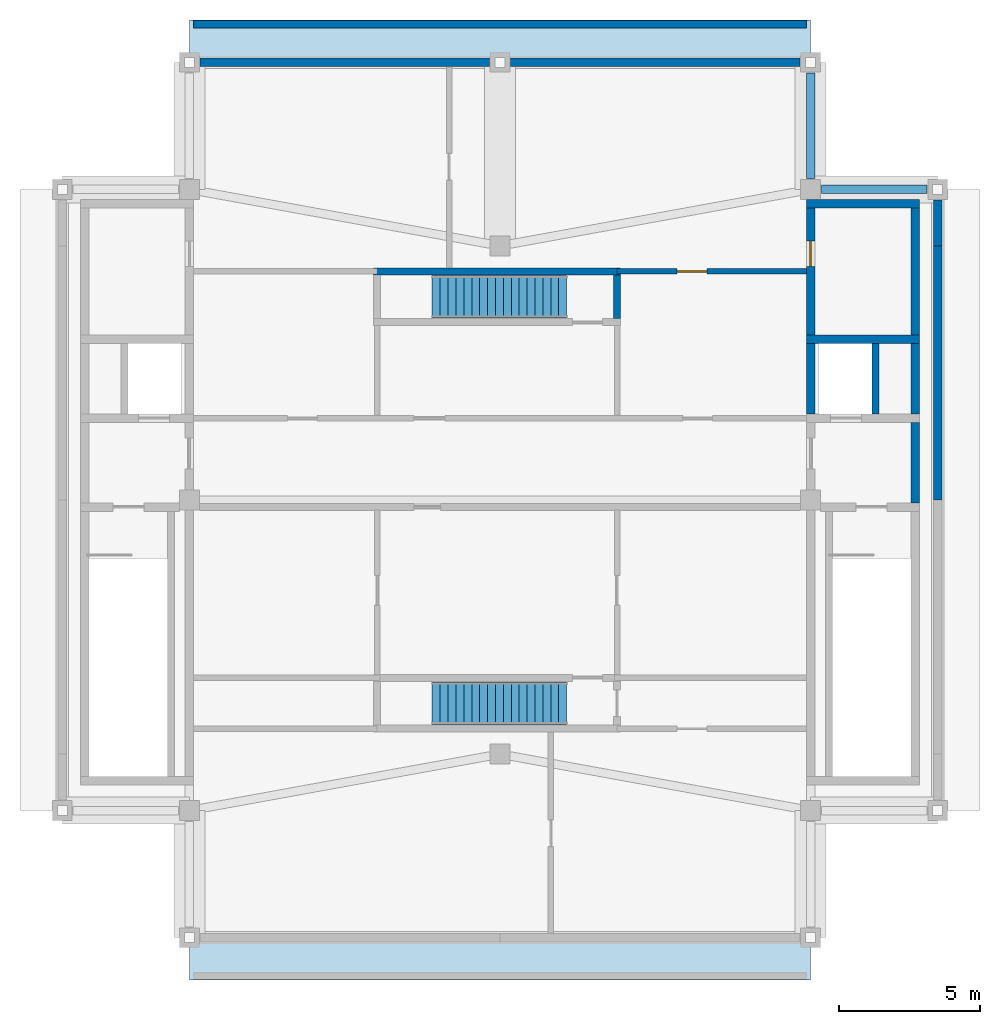
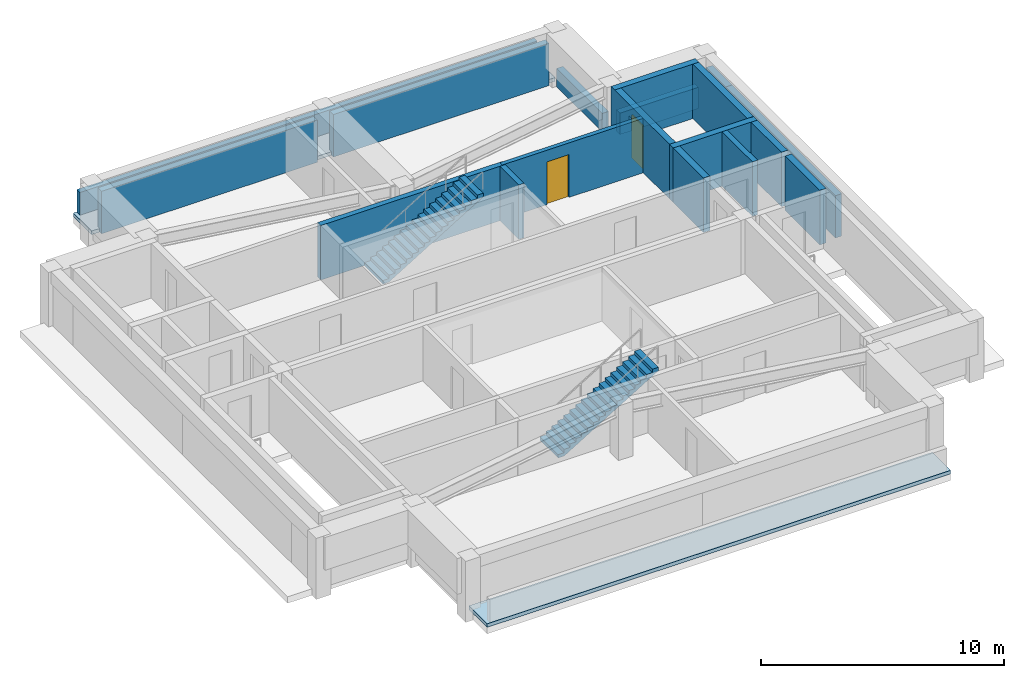
# One storey, part 3 of 4: 18 walls, 2 doors, 2 roofs, 2 stair flights, 2 openings, 2 elements without a shape of their own.
"""IFC4 building model written with IfcOpenShell, lengths in metres."""

from ifc_helpers import new_model, si_unit, direction, frame, frame_2d, origin, place, context, subcontext, project, spatial, polyline, rectangle, outline, extrude, material, layer, layer_set, type_object, element, fill, aggregate, save


model = new_model("IFC4")

# Units and contexts
model_context = context("Model", 3, precision=1e-05, world=origin(), true_north=direction((0.0, 1.0)))
body_context = subcontext(model_context, "Body", "Model", "MODEL_VIEW")
ifc_project = project(units=[si_unit("LENGTHUNIT", "METRE"), si_unit("AREAUNIT", "SQUARE_METRE"), si_unit("VOLUMEUNIT", "CUBIC_METRE"), si_unit("PLANEANGLEUNIT", "RADIAN"), si_unit("MASSUNIT", "GRAM", prefix="KILO")], contexts=[model_context])

# Site, building, storey
site_placement = place(None, origin())
site = spatial("IfcSite", under=ifc_project, at=site_placement, CompositionType="ELEMENT")
building_placement = place(site_placement, origin())
building = spatial("IfcBuilding", under=site, at=building_placement, Name="Zulmaris Gate Convention Tower", CompositionType="ELEMENT")
storey_placement = place(building_placement, frame((0.0, 0.0, 290.97998046875)))
storey = spatial("IfcBuildingStorey", under=building, at=storey_placement, Name="L78", CompositionType="ELEMENT", Elevation=290.97998046875)

# Walls
ifc_material_1 = material(Name="Concrete C50/60", Category="concrete")
ifc_layer_1 = layer(ifc_material_1, 0.25, Name="Concrete C50/60")
ifc_layer_set_1 = layer_set([ifc_layer_1], Name="Concrete C50/60")
wall_type_1 = type_object("IfcWallType", Name="CORE-250", PredefinedType="SOLIDWALL", material=ifc_layer_set_1)
wall_1_placement = place(storey_placement, frame((-4.47509765625, 8.10009765625, 0.0), z_axis=(0.0, 0.0, 1.0), x_axis=(1.0, 0.0, 0.0)))
element("IfcWall", 1, at=wall_1_placement, inside=storey, type_object=wall_type_1, Name="WL-L78-012", PredefinedType="SOLIDWALL", context=body_context, shape_type="SweptSolid", body=[
    extrude(rectangle(XDim=8.75, YDim=0.25, at=frame_2d((4.375, 0.0))), origin(), (0.0, 0.0, 1.0), 2.735107421875),
])
wall_2_placement = place(storey_placement, frame((4.14990234375, 6.427001953125, 0.0), z_axis=(0.0, 0.0, 1.0), x_axis=(0.0, 1.0, 0.0)))
element("IfcWall", 2, at=wall_2_placement, inside=storey, type_object=wall_type_1, Name="WL-L78-036", PredefinedType="SOLIDWALL", context=body_context, shape_type="SweptSolid", body=[
    extrude(rectangle(XDim=1.5458984375, YDim=0.25, at=frame_2d((0.77294921875, 0.0))), origin(), (0.0, 0.0, 1.0), 2.735107421875),
])
wall_3_placement = place(storey_placement, frame((13.300048828125, 3.052001953125, 0.0), z_axis=(0.0, 0.0, 1.0), x_axis=(0.0, 1.0, 0.0)))
element("IfcWall", 3, at=wall_3_placement, inside=storey, type_object=wall_type_1, Name="WL-L78-042", PredefinedType="SOLIDWALL", context=body_context, shape_type="SweptSolid", body=[
    extrude(rectangle(XDim=2.49609375, YDim=0.25, at=frame_2d((1.248046875, 0.0))), origin(), (0.0, 0.0, 1.0), 2.735107421875),
])
ifc_layer_2 = layer(ifc_material_1, 0.300048828125, Name="Concrete C50/60")
ifc_layer_set_2 = layer_set([ifc_layer_2], Name="Concrete C50/60")
wall_type_2 = type_object("IfcWallType", Name="CORE-300", PredefinedType="SHEAR", material=ifc_layer_set_2)
for number, where, z_axis, x_axis, name in (
    (4, (10.85009765625, 5.699951171875, 0.0), (0.0, 0.0, 1.0), (1.0, 0.0, 0.0), "WL-L78-010"),
    (5, (10.85009765625, 10.5, 0.0), (0.0, 0.0, 1.0), (1.0, 0.0, 0.0), "WL-L78-014"),
):
    element("IfcWall", number, at=place(storey_placement, frame(where, z_axis=z_axis, x_axis=x_axis)), inside=storey, type_object=wall_type_2, Name=name, PredefinedType="SHEAR", context=body_context, shape_type="SweptSolid", body=[
        extrude(rectangle(XDim=4.0, YDim=0.300048828125, at=frame_2d((2.0, 0.0))), origin(), (0.0, 0.0, 1.0), 2.735107421875),
    ])
wall_4_placement = place(storey_placement, frame((11.0, 3.052001953125, 0.0), z_axis=(0.0, 0.0, 1.0), x_axis=(0.0, 1.0, 0.0)))
element("IfcWall", 6, at=wall_4_placement, inside=storey, type_object=wall_type_2, Name="WL-L78-039", PredefinedType="SHEAR", context=body_context, shape_type="SweptSolid", body=[
    extrude(rectangle(XDim=2.49609375, YDim=0.300048828125, at=frame_2d((1.248046875, 0.0))), origin(), (0.0, 0.0, 1.0), 2.735107421875),
])

# Wall, opening, door
wall_5_placement = place(storey_placement, frame((11.0, 5.85205078125, 0.0), z_axis=(0.0, 0.0, 1.0), x_axis=(0.0, 1.0, 0.0)))
wall_5 = element("IfcWall", 7, at=wall_5_placement, inside=storey, type_object=wall_type_2, Name="WL-L78-040", PredefinedType="SHEAR", context=body_context, shape_type="SweptSolid", body=[
    extrude(rectangle(XDim=4.7939453125, YDim=0.300048828125, at=frame_2d((2.39697265625, 0.0))), origin(), (0.0, 0.0, 1.0), 2.735107421875),
])
opening_1_placement = place(wall_5_placement, frame((2.41796875, 0.0, 0.0)))
opening_1 = element("IfcOpeningElement", 8, at=opening_1_placement, cuts=wall_5, Name="Opening D-12", PredefinedType="OPENING", context=body_context, shape_type="SweptSolid", body=[
    extrude(rectangle(XDim=0.89990234375, YDim=2.14990234375, at=frame_2d((0.449951171875, 1.074951171875))), frame((0.0, 0.16015625, 0.0), z_axis=(0.0, -1.0, 0.0), x_axis=(1.0, 0.0, 0.0)), (0.0, 0.0, 1.0), 0.320068359375),
])
ifc_material_2 = material(Name="Fire-Rated Timber", Category="wood")
door_type_1 = type_object("IfcDoorType", Name="DR-900-FD", OperationType="NOTDEFINED", PredefinedType="DOOR", material=ifc_material_2)
door_1_placement = place(opening_1_placement, origin())
door_1 = element("IfcDoor", 9, at=door_1_placement, inside=storey, type_object=door_type_1, Name="L78 Crown Telecom Door 08", OperationType="SINGLE_SWING_LEFT", OverallHeight=2.14990234375, OverallWidth=0.89990234375, PredefinedType="DOOR", context=body_context, shape_type="SweptSolid", body=[
    extrude(rectangle(XDim=0.89990234375, YDim=2.14990234375, at=frame_2d((0.449951171875, 1.074951171875))), frame((0.0, 0.02490234375, 0.0), z_axis=(0.0, -1.0, 0.0), x_axis=(1.0, 0.0, 0.0)), (0.0, 0.0, 1.0), 0.050048828125),
])
fill(opening_1, door_1)

# Walls
wall_6_placement = place(storey_placement, frame((14.699951171875, -0.097900390625, 0.0), z_axis=(0.0, 0.0, 1.0), x_axis=(0.0, 1.0, 0.0)))
element("IfcWall", 10, at=wall_6_placement, inside=storey, type_object=wall_type_2, Name="WL-L78-044", PredefinedType="SHEAR", context=body_context, shape_type="SweptSolid", body=[
    extrude(rectangle(XDim=2.845947265625, YDim=0.300048828125, at=frame_2d((1.4228515625, 0.0))), origin(), (0.0, 0.0, 1.0), 2.735107421875),
])
wall_7_placement = place(storey_placement, frame((14.699951171875, 3.052001953125, 0.0), z_axis=(0.0, 0.0, 1.0), x_axis=(0.0, 1.0, 0.0)))
element("IfcWall", 11, at=wall_7_placement, inside=storey, type_object=wall_type_2, Name="WL-L78-045", PredefinedType="SHEAR", context=body_context, shape_type="SweptSolid", body=[
    extrude(rectangle(XDim=2.49609375, YDim=0.300048828125, at=frame_2d((1.248046875, 0.0))), origin(), (0.0, 0.0, 1.0), 2.735107421875),
])
wall_8_placement = place(storey_placement, frame((14.699951171875, 5.85205078125, 0.0), z_axis=(0.0, 0.0, 1.0), x_axis=(0.0, 1.0, 0.0)))
element("IfcWall", 12, at=wall_8_placement, inside=storey, type_object=wall_type_2, Name="WL-L78-046", PredefinedType="SHEAR", context=body_context, shape_type="SweptSolid", body=[
    extrude(rectangle(XDim=4.495849609375, YDim=0.300048828125, at=frame_2d((2.248046875, 0.0))), origin(), (0.0, 0.0, 1.0), 2.735107421875),
])

# Wall, opening, door
ifc_material_3 = material(Name="Autoclaved Aerated Concrete Block and Plasterboard", Category="concrete")
ifc_layer_3 = layer(ifc_material_3, 0.199951171875, Name="Autoclaved Aerated Concrete Block and Plasterboard")
ifc_layer_set_3 = layer_set([ifc_layer_3], Name="Autoclaved Aerated Concrete Block and Plasterboard")
wall_type_3 = type_object("IfcWallType", Name="PART-200", PredefinedType="PARTITIONING", material=ifc_layer_set_3)
wall_9_placement = place(storey_placement, frame((4.14990234375, 8.10009765625, 0.0), z_axis=(0.0, 0.0, 1.0), x_axis=(1.0, 0.0, 0.0)))
wall_9 = element("IfcWall", 13, at=wall_9_placement, inside=storey, type_object=wall_type_3, Name="WL-L78-022", PredefinedType="PARTITIONING", context=body_context, shape_type="SweptSolid", body=[
    extrude(rectangle(XDim=6.697021484375, YDim=0.199951171875, at=frame_2d((3.3486328125, 0.0))), origin(), (0.0, 0.0, 1.0), 2.735107421875),
])
opening_2_placement = place(wall_9_placement, frame((2.125, 0.0, 0.0)))
opening_2 = element("IfcOpeningElement", 14, at=opening_2_placement, cuts=wall_9, Name="Opening D-09", PredefinedType="OPENING", context=body_context, shape_type="SweptSolid", body=[
    extrude(rectangle(XDim=1.050048828125, YDim=2.14990234375, at=frame_2d((0.52490234375, 1.074951171875))), frame((0.0, 0.10986328125, 0.0), z_axis=(0.0, -1.0, 0.0), x_axis=(1.0, 0.0, 0.0)), (0.0, 0.0, 1.0), 0.219970703125),
])
ifc_material_4 = material(Name="Fire-Rated Steel", Category="steel")
door_type_2 = type_object("IfcDoorType", Name="DR-1050-FD", OperationType="NOTDEFINED", PredefinedType="DOOR", material=ifc_material_4)
door_2_placement = place(opening_2_placement, origin())
door_2 = element("IfcDoor", 15, at=door_2_placement, inside=storey, type_object=door_type_2, Name="L78 East Water Tank Door 16", OperationType="SINGLE_SWING_LEFT", OverallHeight=2.14990234375, OverallWidth=1.050048828125, PredefinedType="DOOR", context=body_context, shape_type="SweptSolid", body=[
    extrude(rectangle(XDim=1.050048828125, YDim=2.14990234375, at=frame_2d((0.52490234375, 1.074951171875))), frame((0.0, 0.02490234375, 0.0), z_axis=(0.0, -1.0, 0.0), x_axis=(1.0, 0.0, 0.0)), (0.0, 0.0, 1.0), 0.050048828125),
])
fill(opening_2, door_2)

# Walls
ifc_material_5 = material(Name="Precast concrete C40/50", Category="concrete")
ifc_layer_4 = layer(ifc_material_5, 0.300048828125, Name="Precast concrete C40/50")
ifc_layer_set_4 = layer_set([ifc_layer_4], Name="Precast concrete C40/50")
wall_type_4 = type_object("IfcWallType", Name="PRECAST-CROWN-300", PredefinedType="STANDARD", material=ifc_layer_set_4)
for number, where, z_axis, x_axis, name in (
    (16, (-0.3798828125, 15.5, 0.0), (0.0, 0.0, 1.0), (-1.0, 0.0, 0.0), "EW-L78-CR-N0_0"),
    (17, (10.6201171875, 15.5, 0.0), (0.0, 0.0, 1.0), (-1.0, 0.0, 0.0), "EW-L78-CR-N1_0"),
):
    element("IfcWall", number, at=place(storey_placement, frame(where, z_axis=z_axis, x_axis=x_axis)), inside=storey, type_object=wall_type_4, Name=name, PredefinedType="STANDARD", context=body_context, shape_type="SweptSolid", body=[
        extrude(rectangle(XDim=10.240234375, YDim=0.300048828125, at=frame_2d((5.1201171875, 0.0))), origin(), (0.0, 0.0, 1.0), 2.126953125),
    ])
wall_10_placement = place(storey_placement, frame((15.5, 0.0, 0.0), z_axis=(0.0, 0.0, 1.0), x_axis=(0.0, 1.0, 0.0)))
element("IfcWall", 18, at=wall_10_placement, inside=storey, type_object=wall_type_4, Name="EW-L78-CR-E2_0", PredefinedType="STANDARD", context=body_context, shape_type="SweptSolid", body=[
    extrude(rectangle(XDim=9.0, YDim=0.300048828125, at=frame_2d((4.5, 0.0))), origin(), (0.0, 0.0, 1.0), 2.126953125),
])
wall_11_placement = place(storey_placement, frame((15.5, 9.0, 0.0), z_axis=(0.0, 0.0, 1.0), x_axis=(0.0, 1.0, 0.0)))
element("IfcWall", 19, at=wall_11_placement, inside=storey, type_object=wall_type_4, Name="EW-L78-CR-E3_0", PredefinedType="STANDARD", context=body_context, shape_type="SweptSolid", body=[
    extrude(rectangle(XDim=1.6201171875, YDim=0.300048828125, at=frame_2d((0.81005859375, 0.0))), origin(), (0.0, 0.0, 1.0), 2.126953125),
])
wall_12_placement = place(storey_placement, frame((15.1201171875, 11.0, 0.0), z_axis=(0.0, 0.0, 1.0), x_axis=(-1.0, 0.0, 0.0)))
element("IfcWall", 20, at=wall_12_placement, inside=storey, type_object=wall_type_4, Name="EW-L78-CR-NE1_0", PredefinedType="STANDARD", context=body_context, shape_type="SweptSolid", body=[
    extrude(rectangle(XDim=3.740234375, YDim=0.300048828125, at=frame_2d((1.8701171875, 0.0))), origin(), (0.0, 0.0, 1.0), 1.076904296875),
])
wall_13_placement = place(storey_placement, frame((11.0, 11.3798828125, 0.0), z_axis=(0.0, 0.0, 1.0), x_axis=(0.0, 1.0, 0.0)))
element("IfcWall", 21, at=wall_13_placement, inside=storey, type_object=wall_type_4, Name="EW-L78-CR-NE2_0", PredefinedType="STANDARD", context=body_context, shape_type="SweptSolid", body=[
    extrude(rectangle(XDim=3.740234375, YDim=0.300048828125, at=frame_2d((1.8701171875, 0.0))), origin(), (0.0, 0.0, 1.0), 0.927001953125),
])
ifc_layer_5 = layer(ifc_material_5, 0.25, Name="Precast concrete C40/50")
ifc_layer_set_5 = layer_set([ifc_layer_5], Name="Precast concrete C40/50")
wall_type_5 = type_object("IfcWallType", Name="PRECAST-PARAPET-250", PredefinedType="PARAPET", material=ifc_layer_set_5)
wall_14_placement = place(storey_placement, frame((-10.85009765625, 16.85009765625, 0.179931640625), z_axis=(0.0, 0.0, 1.0), x_axis=(1.0, 0.0, 0.0)))
element("IfcWall", 22, at=wall_14_placement, inside=storey, type_object=wall_type_5, Name="PRP-L78-CROWN-N", PredefinedType="PARAPET", context=body_context, shape_type="SweptSolid", body=[
    extrude(rectangle(XDim=21.7001953125, YDim=0.25, at=frame_2d((10.85009765625, 0.0))), origin(), (0.0, 0.0, 1.0), 1.14013671875),
])

# Stair, stair flight
ifc_material_6 = material(Name="Concrete C45/55", Category="concrete")
stair_type = type_object("IfcStairType", Name="ST-CRN-STRAIGHT", PredefinedType="STRAIGHT_RUN_STAIR", material=ifc_material_6)
stair_1_placement = place(storey_placement, origin())
stair_1 = element("IfcStair", 23, at=stair_1_placement, inside=storey, type_object=stair_type, Name="L78 Crown Straight Stair ST-7", PredefinedType="STRAIGHT_RUN_STAIR")
ifc_layer_6 = layer(ifc_material_6, 0.14990234375, Name="Concrete C45/55")
ifc_layer_set_6 = layer_set([ifc_layer_6], Name="Concrete C45/55")
stair_flight_type = type_object("IfcStairFlightType", Name="STF-RC150", PredefinedType="STRAIGHT", material=ifc_layer_set_6)
stair_flight_1_placement = place(storey_placement, frame((-2.39990234375, -7.199951171875, 0.0), z_axis=(0.0, 0.0, 1.0), x_axis=(1.0, 0.0, 0.0)))
stair_flight_1 = element("IfcStairFlight", 24, at=stair_flight_1_placement, type_object=stair_flight_type, Name="ST-7 flight 1", NumberOfRisers=18, NumberOfTreads=17, PredefinedType="STRAIGHT", RiserHeight=0.17, TreadLength=0.28, context=body_context, shape_type="SweptSolid", body=[
    extrude(outline(polyline([(0.0, 0.0), (0.0, 0.169921875), (0.280029296875, 0.169921875), (0.280029296875, 0.340087890625), (0.56005859375, 0.340087890625), (0.56005859375, 0.510009765625), (0.840087890625, 0.510009765625), (0.840087890625, 0.679931640625), (1.1201171875, 0.679931640625), (1.1201171875, 0.85009765625), (1.39990234375, 0.85009765625), (1.39990234375, 1.02001953125), (1.679931640625, 1.02001953125), (1.679931640625, 1.18994140625), (1.9599609375, 1.18994140625), (1.9599609375, 1.360107421875), (2.239990234375, 1.360107421875), (2.239990234375, 1.530029296875), (2.52001953125, 1.530029296875), (2.52001953125, 1.699951171875), (2.800048828125, 1.699951171875), (2.800048828125, 1.8701171875), (3.080078125, 1.8701171875), (3.080078125, 2.0400390625), (3.360107421875, 2.0400390625), (3.360107421875, 2.2099609375), (3.639892578125, 2.2099609375), (3.639892578125, 2.3798828125), (3.919921875, 2.3798828125), (3.919921875, 2.550048828125), (4.199951171875, 2.550048828125), (4.199951171875, 2.719970703125), (4.47998046875, 2.719970703125), (4.47998046875, 2.889892578125), (4.760009765625, 2.889892578125), (4.760009765625, 3.06005859375), (4.760009765625, 2.714599609375), (0.288818359375, 0.0), (0.0, 0.0)])), frame((0.0, 0.75, 0.0), z_axis=(0.0, -1.0, 0.0), x_axis=(1.0, 0.0, 0.0)), (0.0, 0.0, 1.0), 1.5),
])
aggregate(stair_1, [stair_flight_1])

stair_2_placement = place(storey_placement, origin())
stair_2 = element("IfcStair", 25, at=stair_2_placement, inside=storey, type_object=stair_type, Name="L78 Crown Straight Stair ST-8", PredefinedType="STRAIGHT_RUN_STAIR")
stair_flight_2_placement = place(storey_placement, frame((-2.39990234375, 7.199951171875, 0.0), z_axis=(0.0, 0.0, 1.0), x_axis=(1.0, 0.0, 0.0)))
stair_flight_2 = element("IfcStairFlight", 26, at=stair_flight_2_placement, type_object=stair_flight_type, Name="ST-8 flight 1", NumberOfRisers=18, NumberOfTreads=17, PredefinedType="STRAIGHT", RiserHeight=0.17, TreadLength=0.28, context=body_context, shape_type="SweptSolid", body=[
    extrude(outline(polyline([(0.0, 0.0), (0.0, 0.169921875), (0.280029296875, 0.169921875), (0.280029296875, 0.340087890625), (0.56005859375, 0.340087890625), (0.56005859375, 0.510009765625), (0.840087890625, 0.510009765625), (0.840087890625, 0.679931640625), (1.1201171875, 0.679931640625), (1.1201171875, 0.85009765625), (1.39990234375, 0.85009765625), (1.39990234375, 1.02001953125), (1.679931640625, 1.02001953125), (1.679931640625, 1.18994140625), (1.9599609375, 1.18994140625), (1.9599609375, 1.360107421875), (2.239990234375, 1.360107421875), (2.239990234375, 1.530029296875), (2.52001953125, 1.530029296875), (2.52001953125, 1.699951171875), (2.800048828125, 1.699951171875), (2.800048828125, 1.8701171875), (3.080078125, 1.8701171875), (3.080078125, 2.0400390625), (3.360107421875, 2.0400390625), (3.360107421875, 2.2099609375), (3.639892578125, 2.2099609375), (3.639892578125, 2.3798828125), (3.919921875, 2.3798828125), (3.919921875, 2.550048828125), (4.199951171875, 2.550048828125), (4.199951171875, 2.719970703125), (4.47998046875, 2.719970703125), (4.47998046875, 2.889892578125), (4.760009765625, 2.889892578125), (4.760009765625, 3.06005859375), (4.760009765625, 2.714599609375), (0.288818359375, 0.0), (0.0, 0.0)])), frame((0.0, 0.75, 0.0), z_axis=(0.0, -1.0, 0.0), x_axis=(1.0, 0.0, 0.0)), (0.0, 0.0, 1.0), 1.5),
])
aggregate(stair_2, [stair_flight_2])

# Roofs
ifc_material_7 = material(Name="Concrete C40/50", Category="concrete")
ifc_layer_7 = layer(ifc_material_7, 0.219970703125, Name="Concrete C40/50")
ifc_layer_set_7 = layer_set([ifc_layer_7], Name="Concrete C40/50")
slab_type = type_object("IfcSlabType", Name="RF-MEMBRANE-220", PredefinedType="ROOF", material=ifc_layer_set_7)
roof_1_placement = place(storey_placement, origin())
element("IfcRoof", 27, at=roof_1_placement, inside=storey, type_object=slab_type, Name="RF-L78-CROWN-STEP-N", PredefinedType="FLAT_ROOF", context=body_context, shape_type="SweptSolid", body=[
    extrude(outline(polyline([(-11.0, 15.5), (11.0, 15.5), (11.0, 17.0), (-11.0, 17.0), (-11.0, 15.5)])), origin(), (0.0, 0.0, 1.0), 0.179931640625),
])
roof_2_placement = place(storey_placement, origin())
element("IfcRoof", 28, at=roof_2_placement, inside=storey, type_object=slab_type, Name="RF-L78-CROWN-STEP-S", PredefinedType="FLAT_ROOF", context=body_context, shape_type="SweptSolid", body=[
    extrude(outline(polyline([(-11.0, -17.0), (11.0, -17.0), (11.0, -15.5), (-11.0, -15.5), (-11.0, -17.0)])), origin(), (0.0, 0.0, 1.0), 0.179931640625),
])

save(model, "model.ifc")
